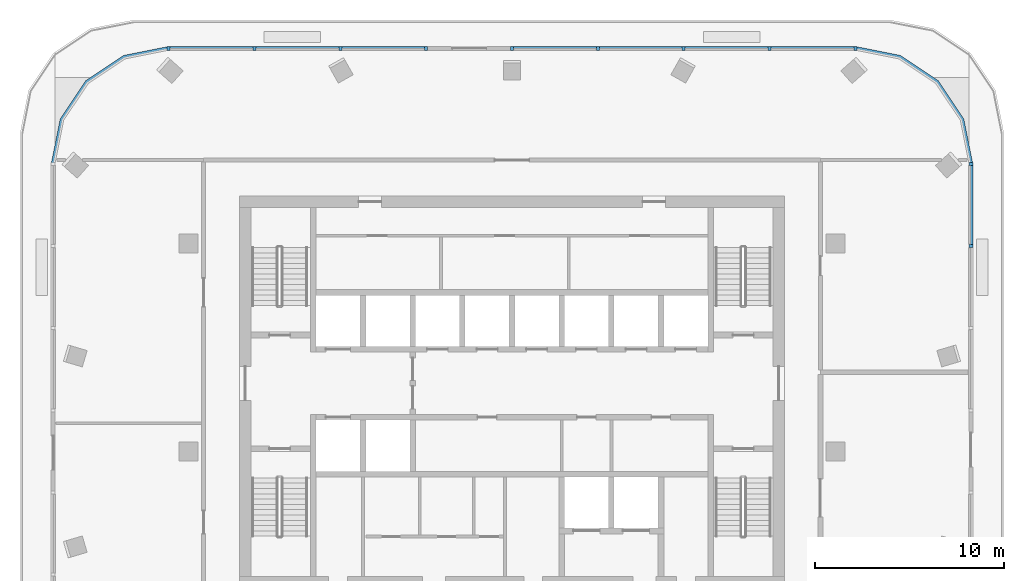
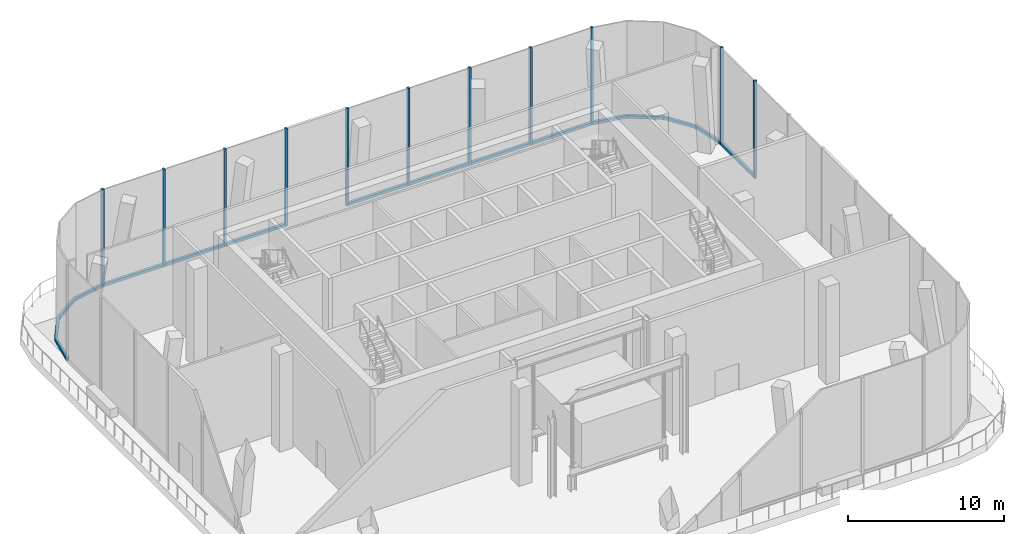
# One storey, part 4 of 13: 21 members, 5 elements without a shape of their own.
"""IFC4 building model written with IfcOpenShell, lengths in metres."""

from ifc_helpers import new_model, si_unit, direction, frame, origin, origin_2d, place, context, subcontext, project, spatial, polyline, rectangle, outline, extrude, material, material_profile, profile_set, type_object, element, aggregate, save


model = new_model("IFC4")

# Units and contexts
model_context = context("Model", 3, precision=1e-05, world=origin(), true_north=direction((0.0, 1.0)))
body_context = subcontext(model_context, "Body", "Model", "MODEL_VIEW")
ifc_project = project(units=[si_unit("LENGTHUNIT", "METRE"), si_unit("AREAUNIT", "SQUARE_METRE"), si_unit("VOLUMEUNIT", "CUBIC_METRE"), si_unit("PLANEANGLEUNIT", "RADIAN"), si_unit("MASSUNIT", "GRAM", prefix="KILO")], contexts=[model_context])

# Site, building, storey
site_placement = place(None, origin())
site = spatial("IfcSite", under=ifc_project, at=site_placement, CompositionType="ELEMENT")
building_placement = place(site_placement, origin())
building = spatial("IfcBuilding", under=site, at=building_placement, Name="Mopane Tessera Tower", CompositionType="ELEMENT")
storey_placement = place(building_placement, frame((0.0, 0.0, 337.39990234375)))
storey = spatial("IfcBuildingStorey", under=building, at=storey_placement, Name="L74", CompositionType="ELEMENT", Elevation=337.39990234375)

# Curtain wall, members
ifc_material_1 = material(Name="Aluminium frame", Category="aluminium")
curtain_wall_type = type_object("IfcCurtainWallType", Name="Damper floor unitised wall", PredefinedType="NOTDEFINED", material=ifc_material_1)
curtain_wall_1_placement = place(storey_placement, origin())
curtain_wall_1 = element("IfcCurtainWall", 1, at=curtain_wall_1_placement, inside=storey, type_object=curtain_wall_type, Name="e:cw:L74:E:4", PredefinedType="NOTDEFINED")
ifc_material_2 = material(Name="Aluminium frame", Category="aluminium")
ifc_material_profile_1 = material_profile(ifc_material_2, rectangle(XDim=0.159912109375, YDim=0.199951171875, at=origin_2d()))
ifc_profile_set_1 = profile_set([ifc_material_profile_1], Name="Aluminium frame")
member_type_1 = type_object("IfcMemberType", Name="Aluminium mullion 160 x 200", PredefinedType="MULLION", material=ifc_profile_set_1)
member_1_placement = place(storey_placement, frame((24.25, 10.857177734375, 0.0), z_axis=(0.0, 0.0, 1.0), x_axis=(0.0, 1.0, 0.0)))
member_1 = element("IfcMember", 2, at=member_1_placement, type_object=member_type_1, Name="e:cw:L74:E:4:mu6", PredefinedType="MULLION", context=body_context, shape_type="SweptSolid", body=[
    extrude(rectangle(XDim=0.159912109375, YDim=0.199951171875, at=origin_2d()), origin(), (0.0, 0.0, 1.0), 7.650146484375),
])
member_2_placement = place(storey_placement, frame((24.25, 15.199951171875, 0.0), z_axis=(0.0, 0.0, 1.0), x_axis=(0.0, 1.0, 0.0)))
member_2 = element("IfcMember", 3, at=member_2_placement, type_object=member_type_1, Name="e:cw:L74:E:4:mu7", PredefinedType="MULLION", context=body_context, shape_type="SweptSolid", body=[
    extrude(rectangle(XDim=0.159912109375, YDim=0.199951171875, at=origin_2d()), origin(), (0.0, 0.0, 1.0), 7.650146484375),
])

curtain_wall_2_placement = place(storey_placement, origin())
curtain_wall_2 = element("IfcCurtainWall", 4, at=curtain_wall_2_placement, inside=storey, type_object=curtain_wall_type, Name="e:cw:L74:N:0", PredefinedType="NOTDEFINED")
member_3_placement = place(storey_placement, frame((18.14990234375, 21.300048828125, 0.0), z_axis=(0.0, 0.0, 1.0), x_axis=(-1.0, 0.0, 0.0)))
member_3 = element("IfcMember", 5, at=member_3_placement, type_object=member_type_1, Name="e:cw:L74:N:0:mu0", PredefinedType="MULLION", context=body_context, shape_type="SweptSolid", body=[
    extrude(rectangle(XDim=0.159912109375, YDim=0.199951171875, at=origin_2d()), origin(), (0.0, 0.0, 1.0), 7.650146484375),
])
member_4_placement = place(storey_placement, frame((13.612548828125, 21.300048828125, 0.0), z_axis=(0.0, 0.0, 1.0), x_axis=(-1.0, 0.0, 0.0)))
member_4 = element("IfcMember", 6, at=member_4_placement, type_object=member_type_1, Name="e:cw:L74:N:0:mu1", PredefinedType="MULLION", context=body_context, shape_type="SweptSolid", body=[
    extrude(rectangle(XDim=0.159912109375, YDim=0.199951171875, at=origin_2d()), origin(), (0.0, 0.0, 1.0), 7.650146484375),
])
member_5_placement = place(storey_placement, frame((9.074951171875, 21.300048828125, 0.0), z_axis=(0.0, 0.0, 1.0), x_axis=(-1.0, 0.0, 0.0)))
member_5 = element("IfcMember", 7, at=member_5_placement, type_object=member_type_1, Name="e:cw:L74:N:0:mu2", PredefinedType="MULLION", context=body_context, shape_type="SweptSolid", body=[
    extrude(rectangle(XDim=0.159912109375, YDim=0.199951171875, at=origin_2d()), origin(), (0.0, 0.0, 1.0), 7.650146484375),
])
member_6_placement = place(storey_placement, frame((4.53759765625, 21.300048828125, 0.0), z_axis=(0.0, 0.0, 1.0), x_axis=(-1.0, 0.0, 0.0)))
member_6 = element("IfcMember", 8, at=member_6_placement, type_object=member_type_1, Name="e:cw:L74:N:0:mu3", PredefinedType="MULLION", context=body_context, shape_type="SweptSolid", body=[
    extrude(rectangle(XDim=0.159912109375, YDim=0.199951171875, at=origin_2d()), origin(), (0.0, 0.0, 1.0), 7.650146484375),
])
member_7_placement = place(storey_placement, frame((0.0, 21.300048828125, 0.0), z_axis=(0.0, 0.0, 1.0), x_axis=(-1.0, 0.0, 0.0)))
member_7 = element("IfcMember", 9, at=member_7_placement, type_object=member_type_1, Name="e:cw:L74:N:0:mu4", PredefinedType="MULLION", context=body_context, shape_type="SweptSolid", body=[
    extrude(rectangle(XDim=0.159912109375, YDim=0.199951171875, at=origin_2d()), origin(), (0.0, 0.0, 1.0), 7.650146484375),
])

curtain_wall_3_placement = place(storey_placement, origin())
curtain_wall_3 = element("IfcCurtainWall", 10, at=curtain_wall_3_placement, inside=storey, type_object=curtain_wall_type, Name="e:cw:L74:N:5", PredefinedType="NOTDEFINED")
member_8_placement = place(storey_placement, frame((-4.53759765625, 21.300048828125, 0.0), z_axis=(0.0, 0.0, 1.0), x_axis=(-1.0, 0.0, 0.0)))
member_8 = element("IfcMember", 11, at=member_8_placement, type_object=member_type_1, Name="e:cw:L74:N:5:mu5", PredefinedType="MULLION", context=body_context, shape_type="SweptSolid", body=[
    extrude(rectangle(XDim=0.159912109375, YDim=0.199951171875, at=origin_2d()), origin(), (0.0, 0.0, 1.0), 7.650146484375),
])
member_9_placement = place(storey_placement, frame((-9.074951171875, 21.300048828125, 0.0), z_axis=(0.0, 0.0, 1.0), x_axis=(-1.0, 0.0, 0.0)))
member_9 = element("IfcMember", 12, at=member_9_placement, type_object=member_type_1, Name="e:cw:L74:N:5:mu6", PredefinedType="MULLION", context=body_context, shape_type="SweptSolid", body=[
    extrude(rectangle(XDim=0.159912109375, YDim=0.199951171875, at=origin_2d()), origin(), (0.0, 0.0, 1.0), 7.650146484375),
])
member_10_placement = place(storey_placement, frame((-13.612548828125, 21.300048828125, 0.0), z_axis=(0.0, 0.0, 1.0), x_axis=(-1.0, 0.0, 0.0)))
member_10 = element("IfcMember", 13, at=member_10_placement, type_object=member_type_1, Name="e:cw:L74:N:5:mu7", PredefinedType="MULLION", context=body_context, shape_type="SweptSolid", body=[
    extrude(rectangle(XDim=0.159912109375, YDim=0.199951171875, at=origin_2d()), origin(), (0.0, 0.0, 1.0), 7.650146484375),
])
member_11_placement = place(storey_placement, frame((-18.14990234375, 21.300048828125, 0.0), z_axis=(0.0, 0.0, 1.0), x_axis=(-1.0, 0.0, 0.0)))
member_11 = element("IfcMember", 14, at=member_11_placement, type_object=member_type_1, Name="e:cw:L74:N:5:mu8", PredefinedType="MULLION", context=body_context, shape_type="SweptSolid", body=[
    extrude(rectangle(XDim=0.159912109375, YDim=0.199951171875, at=origin_2d()), origin(), (0.0, 0.0, 1.0), 7.650146484375),
])

# Member
ifc_material_3 = material(Name="Aluminium frame", Category="aluminium")
ifc_material_profile_2 = material_profile(ifc_material_3, rectangle(XDim=0.199951171875, YDim=0.219970703125, at=origin_2d()))
ifc_profile_set_2 = profile_set([ifc_material_profile_2], Name="Aluminium frame")
member_type_2 = type_object("IfcMemberType", Name="Aluminium transom 200 x 220", PredefinedType="USERDEFINED", material=ifc_profile_set_2)
member_12_placement = place(storey_placement, frame((24.25, 10.937255859375, 0.110107421875), z_axis=(0.0, 1.0, 0.0), x_axis=(-1.0, 0.0, 0.0)))
member_12 = element("IfcMember", 15, at=member_12_placement, type_object=member_type_2, Name="e:cw:L74:E:4:tr6", ObjectType="TRANSOM", PredefinedType="USERDEFINED", context=body_context, shape_type="SweptSolid", body=[
    extrude(rectangle(XDim=0.199951171875, YDim=0.219970703125, at=origin_2d()), origin(), (0.0, 0.0, 1.0), 4.182861328125),
])

aggregate(curtain_wall_1, [member_1, member_2, member_12])

# Curtain wall, member
curtain_wall_4_placement = place(storey_placement, origin())
curtain_wall_4 = element("IfcCurtainWall", 16, at=curtain_wall_4_placement, inside=storey, type_object=curtain_wall_type, Name="e:cw:L74:CE", PredefinedType="NOTDEFINED")
member_13_placement = place(storey_placement, origin())
member_13 = element("IfcMember", 17, at=member_13_placement, type_object=member_type_2, Name="e:cw:L74:CE:tr", ObjectType="TRANSOM", PredefinedType="USERDEFINED", context=body_context, shape_type="SweptSolid", body=[
    extrude(outline(polyline([(24.14990234375, 15.199951171875), (23.693359375, 17.49609375), (22.392578125, 19.442626953125), (20.446044921875, 20.7431640625), (18.14990234375, 21.199951171875), (18.14990234375, 21.39990234375), (20.522705078125, 20.927978515625), (22.5341796875, 19.583984375), (23.878173828125, 17.57275390625), (24.35009765625, 15.199951171875), (24.14990234375, 15.199951171875)])), origin(), (0.0, 0.0, 1.0), 0.22021484375),
])
aggregate(curtain_wall_4, [member_13])

# Member
member_14_placement = place(storey_placement, frame((18.070068359375, 21.300048828125, 0.110107421875), z_axis=(-1.0, 0.0, 0.0), x_axis=(0.0, -1.0, 0.0)))
member_14 = element("IfcMember", 18, at=member_14_placement, type_object=member_type_2, Name="e:cw:L74:N:0:tr0", ObjectType="TRANSOM", PredefinedType="USERDEFINED", context=body_context, shape_type="SweptSolid", body=[
    extrude(rectangle(XDim=0.199951171875, YDim=0.219970703125, at=origin_2d()), origin(), (0.0, 0.0, 1.0), 4.377685546875),
])

member_15_placement = place(storey_placement, frame((13.532470703125, 21.300048828125, 0.110107421875), z_axis=(-1.0, 0.0, 0.0), x_axis=(0.0, -1.0, 0.0)))
member_15 = element("IfcMember", 19, at=member_15_placement, type_object=member_type_2, Name="e:cw:L74:N:0:tr1", ObjectType="TRANSOM", PredefinedType="USERDEFINED", context=body_context, shape_type="SweptSolid", body=[
    extrude(rectangle(XDim=0.199951171875, YDim=0.219970703125, at=origin_2d()), origin(), (0.0, 0.0, 1.0), 4.37744140625),
])

member_16_placement = place(storey_placement, frame((8.9951171875, 21.300048828125, 0.110107421875), z_axis=(-1.0, 0.0, 0.0), x_axis=(0.0, -1.0, 0.0)))
member_16 = element("IfcMember", 20, at=member_16_placement, type_object=member_type_2, Name="e:cw:L74:N:0:tr2", ObjectType="TRANSOM", PredefinedType="USERDEFINED", context=body_context, shape_type="SweptSolid", body=[
    extrude(rectangle(XDim=0.199951171875, YDim=0.219970703125, at=origin_2d()), origin(), (0.0, 0.0, 1.0), 4.377685546875),
])

member_17_placement = place(storey_placement, frame((4.45751953125, 21.300048828125, 0.110107421875), z_axis=(-1.0, 0.0, 0.0), x_axis=(0.0, -1.0, 0.0)))
member_17 = element("IfcMember", 21, at=member_17_placement, type_object=member_type_2, Name="e:cw:L74:N:0:tr3", ObjectType="TRANSOM", PredefinedType="USERDEFINED", context=body_context, shape_type="SweptSolid", body=[
    extrude(rectangle(XDim=0.199951171875, YDim=0.219970703125, at=origin_2d()), origin(), (0.0, 0.0, 1.0), 4.37744140625),
])

aggregate(curtain_wall_2, [member_3, member_4, member_5, member_6, member_7, member_14, member_15, member_16, member_17])

member_18_placement = place(storey_placement, frame((-4.617431640625, 21.300048828125, 0.110107421875), z_axis=(-1.0, 0.0, 0.0), x_axis=(0.0, -1.0, 0.0)))
member_18 = element("IfcMember", 22, at=member_18_placement, type_object=member_type_2, Name="e:cw:L74:N:5:tr5", ObjectType="TRANSOM", PredefinedType="USERDEFINED", context=body_context, shape_type="SweptSolid", body=[
    extrude(rectangle(XDim=0.199951171875, YDim=0.219970703125, at=origin_2d()), origin(), (0.0, 0.0, 1.0), 4.377685546875),
])

member_19_placement = place(storey_placement, frame((-9.155029296875, 21.300048828125, 0.110107421875), z_axis=(-1.0, 0.0, 0.0), x_axis=(0.0, -1.0, 0.0)))
member_19 = element("IfcMember", 23, at=member_19_placement, type_object=member_type_2, Name="e:cw:L74:N:5:tr6", ObjectType="TRANSOM", PredefinedType="USERDEFINED", context=body_context, shape_type="SweptSolid", body=[
    extrude(rectangle(XDim=0.199951171875, YDim=0.219970703125, at=origin_2d()), origin(), (0.0, 0.0, 1.0), 4.37744140625),
])

member_20_placement = place(storey_placement, frame((-13.6923828125, 21.300048828125, 0.110107421875), z_axis=(-1.0, 0.0, 0.0), x_axis=(0.0, -1.0, 0.0)))
member_20 = element("IfcMember", 24, at=member_20_placement, type_object=member_type_2, Name="e:cw:L74:N:5:tr7", ObjectType="TRANSOM", PredefinedType="USERDEFINED", context=body_context, shape_type="SweptSolid", body=[
    extrude(rectangle(XDim=0.199951171875, YDim=0.219970703125, at=origin_2d()), origin(), (0.0, 0.0, 1.0), 4.377685546875),
])

aggregate(curtain_wall_3, [member_8, member_9, member_10, member_11, member_18, member_19, member_20])

# Curtain wall, member
curtain_wall_5_placement = place(storey_placement, origin())
curtain_wall_5 = element("IfcCurtainWall", 25, at=curtain_wall_5_placement, inside=storey, type_object=curtain_wall_type, Name="e:cw:L74:CN", PredefinedType="NOTDEFINED")
member_21_placement = place(storey_placement, origin())
member_21 = element("IfcMember", 26, at=member_21_placement, type_object=member_type_2, Name="e:cw:L74:CN:tr", ObjectType="TRANSOM", PredefinedType="USERDEFINED", context=body_context, shape_type="SweptSolid", body=[
    extrude(outline(polyline([(-18.14990234375, 21.199951171875), (-20.446044921875, 20.7431640625), (-22.392578125, 19.442626953125), (-23.693359375, 17.49609375), (-24.14990234375, 15.199951171875), (-24.35009765625, 15.199951171875), (-23.878173828125, 17.57275390625), (-22.5341796875, 19.583984375), (-20.522705078125, 20.927978515625), (-18.14990234375, 21.39990234375), (-18.14990234375, 21.199951171875)])), origin(), (0.0, 0.0, 1.0), 0.22021484375),
])
aggregate(curtain_wall_5, [member_21])

save(model, "model.ifc")
